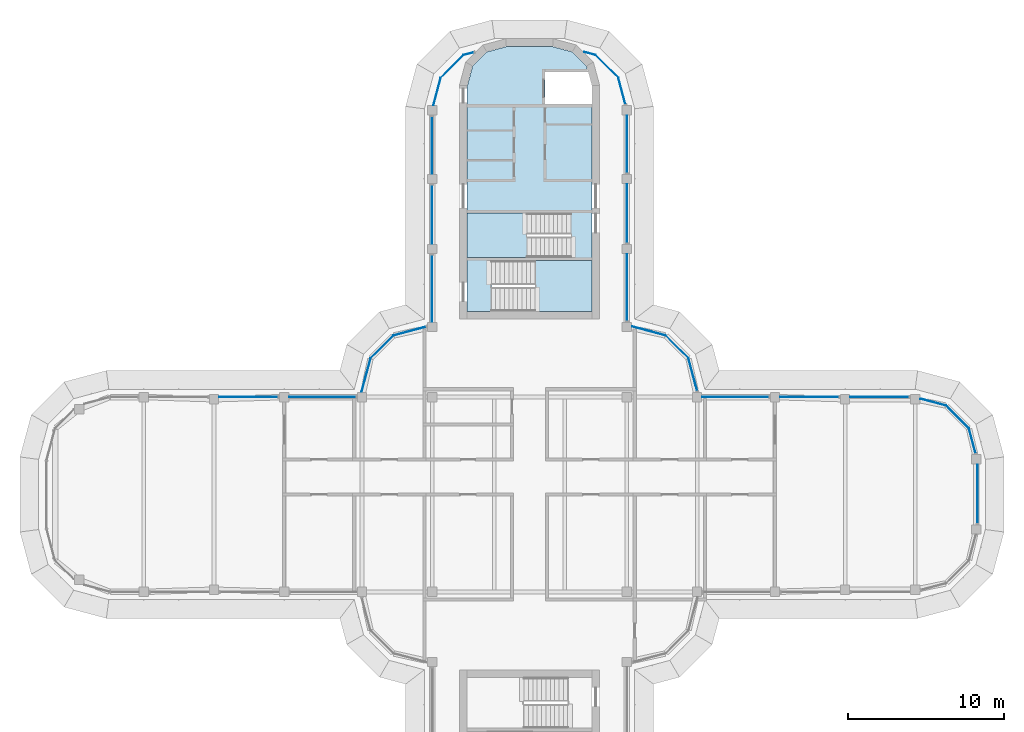
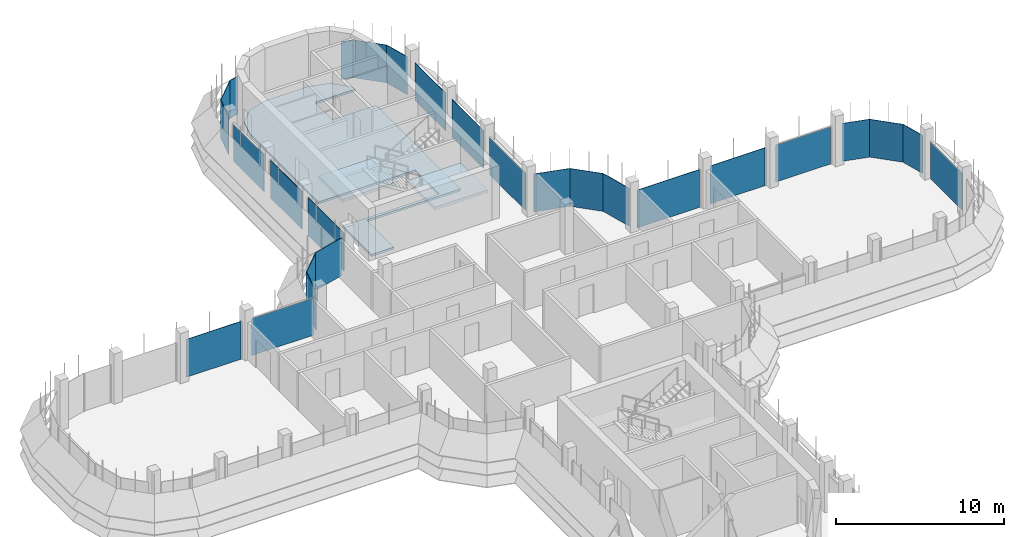
# One storey, part 12 of 19: 27 plates, 3 slabs, 22 elements without a shape of their own.
"""IFC4 building model written with IfcOpenShell, lengths in metres."""

from ifc_helpers import new_model, si_unit, direction, frame, origin, place, context, subcontext, project, spatial, polyline, outline, extrude, source, transform, mapped, material, layer, layer_set, type_object, element, aggregate, save


model = new_model("IFC4")

# Units and contexts
model_context = context("Model", 3, precision=1e-05, world=origin(), true_north=direction((0.0, 1.0)))
body_context = subcontext(model_context, "Body", "Model", "MODEL_VIEW")
ifc_project = project(units=[si_unit("LENGTHUNIT", "METRE"), si_unit("AREAUNIT", "SQUARE_METRE"), si_unit("VOLUMEUNIT", "CUBIC_METRE"), si_unit("PLANEANGLEUNIT", "RADIAN"), si_unit("MASSUNIT", "GRAM", prefix="KILO")], contexts=[model_context])

# Site, building, storey
site_placement = place(None, origin())
site = spatial("IfcSite", under=ifc_project, at=site_placement, CompositionType="ELEMENT")
building_placement = place(site_placement, origin())
building = spatial("IfcBuilding", under=site, at=building_placement, Name="Zarbagh Exchange Tower", CompositionType="ELEMENT")
storey_placement = place(building_placement, frame((0.0, 0.0, 261.199951171875)))
storey = spatial("IfcBuildingStorey", under=building, at=storey_placement, Name="L64", CompositionType="ELEMENT", Elevation=261.199951171875)

# Slab
ifc_material_1 = material(Name="Concrete C40/50", Category="concrete")
ifc_layer_1 = layer(ifc_material_1, 0.14990234375)
ifc_layer_set_1 = layer_set([ifc_layer_1], Name="Core floor slab 150 C40/50")
slab_type_1 = type_object("IfcSlabType", Name="Core floor slab 150 C40/50", PredefinedType="FLOOR", material=ifc_layer_set_1)
slab_1_placement = place(storey_placement, frame((0.0, 0.0, -0.14990234375)))
element("IfcSlab", 1, at=slab_1_placement, inside=storey, type_object=slab_type_1, Name="S17 core N", PredefinedType="FLOOR", context=body_context, shape_type="SweptSolid", body=[
    extrude(outline(polyline([(-4.0, 11.75), (-4.0, 15.199951171875), (2.64990234375, 15.199951171875), (2.64990234375, 18.050048828125), (-4.0, 18.050048828125), (-4.0, 26.18408203125), (-3.64990234375, 27.4912109375), (-2.7412109375, 28.39990234375), (-1.43408203125, 28.75), (1.43408203125, 28.75), (2.7412109375, 28.39990234375), (3.64990234375, 27.4912109375), (3.857666015625, 26.715087890625), (3.754638671875, 27.10009765625), (1.0, 27.10009765625), (1.0, 25.050048828125), (4.0, 25.050048828125), (4.0, 15.0), (-2.449951171875, 15.0), (-2.449951171875, 11.75), (-4.0, 11.75)])), origin(), (0.0, 0.0, 1.0), 0.14990234375),
])

# Stair, slab
stair_type = type_object("IfcStairType", Name="Exit stair two-flight half-turn", PredefinedType="HALF_TURN_STAIR", material=ifc_material_1)
stair_1_placement = place(storey_placement, origin())
stair_1 = element("IfcStair", 2, at=stair_1_placement, inside=storey, type_object=stair_type, Name="exit stair ST1", PredefinedType="HALF_TURN_STAIR")
ifc_layer_2 = layer(ifc_material_1, 0.199951171875)
ifc_layer_set_2 = layer_set([ifc_layer_2], Name="Stair landing 200 mm")
slab_type_2 = type_object("IfcSlabType", Name="Stair landing 200 mm", PredefinedType="LANDING", material=ifc_layer_set_2)
slab_2_placement = place(storey_placement, frame((0.0, 0.0, 1.699951171875)))
slab_2 = element("IfcSlab", 3, at=slab_2_placement, type_object=slab_type_2, Name="ST1 landing 1", PredefinedType="LANDING", context=body_context, shape_type="SweptSolid", body=[
    extrude(outline(polyline([(-0.14990234375, 18.050048828125), (-4.0, 18.050048828125), (-4.0, 15.199951171875), (-0.14990234375, 15.199951171875), (-0.14990234375, 18.050048828125)])), origin(), (0.0, 0.0, 1.0), 0.2001953125),
])
aggregate(stair_1, [slab_2])

stair_2_placement = place(storey_placement, origin())
stair_2 = element("IfcStair", 4, at=stair_2_placement, inside=storey, type_object=stair_type, Name="exit stair ST2", PredefinedType="HALF_TURN_STAIR")
slab_3_placement = place(storey_placement, frame((0.0, 0.0, 1.699951171875)))
slab_3 = element("IfcSlab", 5, at=slab_3_placement, type_object=slab_type_2, Name="ST2 landing 1", PredefinedType="LANDING", context=body_context, shape_type="SweptSolid", body=[
    extrude(outline(polyline([(0.35009765625, 11.75), (4.0, 11.75), (4.0, 15.0), (0.35009765625, 15.0), (0.35009765625, 11.75)])), origin(), (0.0, 0.0, 1.0), 0.2001953125),
])
aggregate(stair_2, [slab_3])

# Curtain wall, plate
ifc_material_2 = material(Name="Anodised aluminium frame and glazing", Category="aluminium")
curtain_wall_type = type_object("IfcCurtainWallType", Name="CWB Ribbon glazing, upper zones", PredefinedType="NOTDEFINED", material=ifc_material_2)
curtain_wall_1_placement = place(storey_placement, origin())
curtain_wall_1 = element("IfcCurtainWall", 6, at=curtain_wall_1_placement, inside=storey, type_object=curtain_wall_type, Name="CWB80 curtain wall", PredefinedType="NOTDEFINED")
ifc_material_3 = material(Name="Low-e double glazed unit, 6+12+6 mm")
ifc_layer_3 = layer(ifc_material_3, 0.031982421875)
ifc_layer_set_3 = layer_set([ifc_layer_3], Name="PAB Glazing panel, Low-e double glazed unit, 6+12+6 mm")
plate_type = type_object("IfcPlateType", Name="PAB Glazing panel, Low-e double glazed unit, 6+12+6 mm", PredefinedType="CURTAIN_PANEL", material=ifc_layer_set_3)
shared_shape_1 = source(origin(), body_context, "Body", "SweptSolid", [
    extrude(outline(polyline([(0.0, -0.01611328125), (2.061279296875, -0.01611328125), (2.061279296875, 0.01611328125), (0.0, 0.01611328125), (0.0, -0.01611328125)])), origin(), (0.0, 0.0, 1.0), 2.75),
])
placement = place(storey_placement, origin())
plate_1 = element("IfcPlate", 7, at=placement, type_object=plate_type, Name="CWB80 glazing panel 1.1", PredefinedType="CURTAIN_PANEL", context=body_context, shape_type="MappedRepresentation", body=[
    mapped(shared_shape_1, transform((28.19873046875, 4.2412109375, 0.0), x_axis=(-0.707106781187, 0.707106781187, 0.0), y_axis=(-0.707106781187, -0.707106781187, 0.0), z_axis=(0.0, 0.0, 1.0))),
])
aggregate(curtain_wall_1, [plate_1])

curtain_wall_2_placement = place(storey_placement, origin())
curtain_wall_2 = element("IfcCurtainWall", 8, at=curtain_wall_2_placement, inside=storey, type_object=curtain_wall_type, Name="CWB18 curtain wall", PredefinedType="NOTDEFINED")
plate_2 = element("IfcPlate", 9, at=placement, type_object=plate_type, Name="CWB18 glazing panel 1.1", PredefinedType="CURTAIN_PANEL", context=body_context, shape_type="MappedRepresentation", body=[
    mapped(shared_shape_1, transform((10.19873046875, 8.7412109375, 0.0), x_axis=(-0.707106781187, 0.707106781187, 0.0), y_axis=(-0.707106781187, -0.707106781187, 0.0), z_axis=(0.0, 0.0, 1.0))),
])
aggregate(curtain_wall_2, [plate_2])

curtain_wall_3_placement = place(storey_placement, origin())
curtain_wall_3 = element("IfcCurtainWall", 10, at=curtain_wall_3_placement, inside=storey, type_object=curtain_wall_type, Name="CWB74 curtain wall", PredefinedType="NOTDEFINED")
plate_3 = element("IfcPlate", 11, at=placement, type_object=plate_type, Name="CWB74 glazing panel 1.1", PredefinedType="CURTAIN_PANEL", context=body_context, shape_type="MappedRepresentation", body=[
    mapped(shared_shape_1, transform((5.69873046875, 26.7412109375, 0.0), x_axis=(-0.707106781187, 0.707106781187, 0.0), y_axis=(-0.707106781187, -0.707106781187, 0.0), z_axis=(0.0, 0.0, 1.0))),
])
aggregate(curtain_wall_3, [plate_3])

curtain_wall_4_placement = place(storey_placement, origin())
curtain_wall_4 = element("IfcCurtainWall", 12, at=curtain_wall_4_placement, inside=storey, type_object=curtain_wall_type, Name="CWB71 curtain wall", PredefinedType="NOTDEFINED")
plate_4 = element("IfcPlate", 13, at=placement, type_object=plate_type, Name="CWB71 glazing panel 1.1", PredefinedType="CURTAIN_PANEL", context=body_context, shape_type="MappedRepresentation", body=[
    mapped(shared_shape_1, transform((-4.2412109375, 28.19873046875, 0.0), x_axis=(-0.707106781187, -0.707106781187, 0.0), y_axis=(0.707106781187, -0.707106781187, 0.0), z_axis=(0.0, 0.0, 1.0))),
])
aggregate(curtain_wall_4, [plate_4])

curtain_wall_5_placement = place(storey_placement, origin())
curtain_wall_5 = element("IfcCurtainWall", 14, at=curtain_wall_5_placement, inside=storey, type_object=curtain_wall_type, Name="CWB30 curtain wall", PredefinedType="NOTDEFINED")
plate_5 = element("IfcPlate", 15, at=placement, type_object=plate_type, Name="CWB30 glazing panel 1.1", PredefinedType="CURTAIN_PANEL", context=body_context, shape_type="MappedRepresentation", body=[
    mapped(shared_shape_1, transform((-8.7412109375, 10.19873046875, 0.0), x_axis=(-0.707106781187, -0.707106781187, 0.0), y_axis=(0.707106781187, -0.707106781187, 0.0), z_axis=(0.0, 0.0, 1.0))),
])
aggregate(curtain_wall_5, [plate_5])

curtain_wall_6_placement = place(storey_placement, origin())
curtain_wall_6 = element("IfcCurtainWall", 16, at=curtain_wall_6_placement, inside=storey, type_object=curtain_wall_type, Name="CWB81 curtain wall", PredefinedType="NOTDEFINED")
shared_shape_2 = source(origin(), body_context, "Body", "SweptSolid", [
    extrude(outline(polyline([(0.0, -0.01611328125), (1.70947265625, -0.01611328125), (1.70947265625, 0.01611328125), (0.0, 0.01611328125), (0.0, -0.01611328125)])), origin(), (0.0, 0.0, 1.0), 2.75),
])
plate_6 = element("IfcPlate", 17, at=placement, type_object=plate_type, Name="CWB81 glazing panel 1.1", PredefinedType="CURTAIN_PANEL", context=body_context, shape_type="MappedRepresentation", body=[
    mapped(shared_shape_2, transform((26.7412109375, 5.69873046875, 0.0), x_axis=(-0.965924289636, 0.258824779902, 0.0), y_axis=(-0.258824779902, -0.965924289636, 0.0), z_axis=(0.0, 0.0, 1.0))),
])
aggregate(curtain_wall_6, [plate_6])

curtain_wall_7_placement = place(storey_placement, origin())
curtain_wall_7 = element("IfcCurtainWall", 18, at=curtain_wall_7_placement, inside=storey, type_object=curtain_wall_type, Name="CWB79 curtain wall", PredefinedType="NOTDEFINED")
shared_shape_3 = source(origin(), body_context, "Body", "SweptSolid", [
    extrude(outline(polyline([(0.0, -0.01611328125), (1.6494140625, -0.01611328125), (1.6494140625, 0.01611328125), (0.0, 0.01611328125), (0.0, -0.01611328125)])), origin(), (0.0, 0.0, 1.0), 2.75),
])
plate_7 = element("IfcPlate", 19, at=placement, type_object=plate_type, Name="CWB79 glazing panel 1.1", PredefinedType="CURTAIN_PANEL", context=body_context, shape_type="MappedRepresentation", body=[
    mapped(shared_shape_3, transform((28.625732421875, 2.64794921875, 0.0), x_axis=(-0.258824779902, 0.965924289636, 0.0), y_axis=(-0.965924289636, -0.258824779902, 0.0), z_axis=(0.0, 0.0, 1.0))),
])
aggregate(curtain_wall_7, [plate_7])

curtain_wall_8_placement = place(storey_placement, origin())
curtain_wall_8 = element("IfcCurtainWall", 20, at=curtain_wall_8_placement, inside=storey, type_object=curtain_wall_type, Name="CWB67 curtain wall", PredefinedType="NOTDEFINED")
shared_shape_4 = source(origin(), body_context, "Body", "SweptSolid", [
    extrude(outline(polyline([(0.0, -0.01611328125), (3.659912109375, -0.01611328125), (3.659912109375, 0.01611328125), (0.0, 0.01611328125), (0.0, -0.01611328125)])), origin(), (0.0, 0.0, 1.0), 2.75),
])
plate_8 = element("IfcPlate", 21, at=placement, type_object=plate_type, Name="CWB67 glazing panel 3.1", PredefinedType="CURTAIN_PANEL", context=body_context, shape_type="MappedRepresentation", body=[
    mapped(shared_shape_4, transform((6.25, 20.650146484375, 0.0), x_axis=(0.0, 1.0, 0.0), y_axis=(-1.0, 0.0, 0.0), z_axis=(0.0, 0.0, 1.0))),
])

curtain_wall_9_placement = place(storey_placement, origin())
curtain_wall_9 = element("IfcCurtainWall", 22, at=curtain_wall_9_placement, inside=storey, type_object=curtain_wall_type, Name="CWB69 curtain wall", PredefinedType="NOTDEFINED")
shared_shape_5 = source(origin(), body_context, "Body", "SweptSolid", [
    extrude(outline(polyline([(0.0, -0.01611328125), (0.757080078125, -0.01611328125), (0.757080078125, 0.01611328125), (0.0, 0.01611328125), (0.0, -0.01611328125)])), origin(), (0.0, 0.0, 1.0), 2.75),
])
plate_9 = element("IfcPlate", 23, at=placement, type_object=plate_type, Name="CWB69 glazing panel 1.1", PredefinedType="CURTAIN_PANEL", context=body_context, shape_type="MappedRepresentation", body=[
    mapped(shared_shape_5, transform((4.2412109375, 28.19873046875, 0.0), x_axis=(-0.965924289636, 0.258824779902, 0.0), y_axis=(-0.258824779902, -0.965924289636, 0.0), z_axis=(0.0, 0.0, 1.0))),
])
aggregate(curtain_wall_9, [plate_9])

curtain_wall_10_placement = place(storey_placement, origin())
curtain_wall_10 = element("IfcCurtainWall", 24, at=curtain_wall_10_placement, inside=storey, type_object=curtain_wall_type, Name="CWB70 curtain wall", PredefinedType="NOTDEFINED")
shared_shape_6 = source(origin(), body_context, "Body", "SweptSolid", [
    extrude(outline(polyline([(0.0, -0.01611328125), (0.697021484375, -0.01611328125), (0.697021484375, 0.01611328125), (0.0, 0.01611328125), (0.0, -0.01611328125)])), origin(), (0.0, 0.0, 1.0), 2.75),
])
plate_10 = element("IfcPlate", 25, at=placement, type_object=plate_type, Name="CWB70 glazing panel 1.1", PredefinedType="CURTAIN_PANEL", context=body_context, shape_type="MappedRepresentation", body=[
    mapped(shared_shape_6, transform((-3.56787109375, 28.379150390625, 0.0), x_axis=(-0.965924289636, -0.258824779902, 0.0), y_axis=(0.258824779902, -0.965924289636, 0.0), z_axis=(0.0, 0.0, 1.0))),
])
aggregate(curtain_wall_10, [plate_10])

curtain_wall_11_placement = place(storey_placement, origin())
curtain_wall_11 = element("IfcCurtainWall", 26, at=curtain_wall_11_placement, inside=storey, type_object=curtain_wall_type, Name="CWB72 curtain wall", PredefinedType="NOTDEFINED")
shared_shape_7 = source(origin(), body_context, "Body", "SweptSolid", [
    extrude(outline(polyline([(0.0, -0.01611328125), (1.81298828125, -0.01611328125), (1.81298828125, 0.01611328125), (0.0, 0.01611328125), (0.0, -0.01611328125)])), origin(), (0.0, 0.0, 1.0), 2.75),
])
plate_11 = element("IfcPlate", 27, at=placement, type_object=plate_type, Name="CWB72 glazing panel 1.1", PredefinedType="CURTAIN_PANEL", context=body_context, shape_type="MappedRepresentation", body=[
    mapped(shared_shape_7, transform((-5.69873046875, 26.7412109375, 0.0), x_axis=(-0.258824779902, -0.965924289636, 0.0), y_axis=(0.965924289636, -0.258824779902, 0.0), z_axis=(0.0, 0.0, 1.0))),
])
aggregate(curtain_wall_11, [plate_11])

curtain_wall_12_placement = place(storey_placement, origin())
curtain_wall_12 = element("IfcCurtainWall", 28, at=curtain_wall_12_placement, inside=storey, type_object=curtain_wall_type, Name="CWB82 curtain wall", PredefinedType="NOTDEFINED")
shared_shape_8 = source(origin(), body_context, "Body", "SweptSolid", [
    extrude(outline(polyline([(0.0, -0.01611328125), (3.760009765625, -0.01611328125), (3.760009765625, 0.01611328125), (0.0, 0.01611328125), (0.0, -0.01611328125)])), origin(), (0.0, 0.0, 1.0), 2.75),
])
plate_12 = element("IfcPlate", 29, at=placement, type_object=plate_type, Name="CWB82 glazing panel 2.1", PredefinedType="CURTAIN_PANEL", context=body_context, shape_type="MappedRepresentation", body=[
    mapped(shared_shape_8, transform((19.849853515625, 6.25, 0.0), x_axis=(-1.0, 0.0, 0.0), y_axis=(0.0, -1.0, 0.0), z_axis=(0.0, 0.0, 1.0))),
])

# Plate
plate_13 = element("IfcPlate", 30, at=placement, type_object=plate_type, Name="CWB67 glazing panel 2.1", PredefinedType="CURTAIN_PANEL", context=body_context, shape_type="MappedRepresentation", body=[
    mapped(shared_shape_8, transform((6.25, 16.150146484375, 0.0), x_axis=(0.0, 1.0, 0.0), y_axis=(-1.0, 0.0, 0.0), z_axis=(0.0, 0.0, 1.0))),
])

# Curtain wall, plate
curtain_wall_13_placement = place(storey_placement, origin())
curtain_wall_13 = element("IfcCurtainWall", 31, at=curtain_wall_13_placement, inside=storey, type_object=curtain_wall_type, Name="CWB73 curtain wall", PredefinedType="NOTDEFINED")
plate_14 = element("IfcPlate", 32, at=placement, type_object=plate_type, Name="CWB73 glazing panel 2.1", PredefinedType="CURTAIN_PANEL", context=body_context, shape_type="MappedRepresentation", body=[
    mapped(shared_shape_8, transform((-6.25, 19.849853515625, 0.0), x_axis=(0.0, -1.0, 0.0), y_axis=(1.0, 0.0, 0.0), z_axis=(0.0, 0.0, 1.0))),
])

curtain_wall_14_placement = place(storey_placement, origin())
curtain_wall_14 = element("IfcCurtainWall", 33, at=curtain_wall_14_placement, inside=storey, type_object=curtain_wall_type, Name="CWB58 curtain wall", PredefinedType="NOTDEFINED")
plate_15 = element("IfcPlate", 34, at=placement, type_object=plate_type, Name="CWB58 glazing panel 2.1", PredefinedType="CURTAIN_PANEL", context=body_context, shape_type="MappedRepresentation", body=[
    mapped(shared_shape_8, transform((-16.150146484375, 6.25, 0.0), x_axis=(-1.0, 0.0, 0.0), y_axis=(0.0, -1.0, 0.0), z_axis=(0.0, 0.0, 1.0))),
])

# Plate
shared_shape_9 = source(origin(), body_context, "Body", "SweptSolid", [
    extrude(outline(polyline([(0.0, -0.01611328125), (4.260009765625, -0.01611328125), (4.260009765625, 0.01611328125), (0.0, 0.01611328125), (0.0, -0.01611328125)])), origin(), (0.0, 0.0, 1.0), 2.75),
])
plate_16 = element("IfcPlate", 35, at=placement, type_object=plate_type, Name="CWB82 glazing panel 3.1", PredefinedType="CURTAIN_PANEL", context=body_context, shape_type="MappedRepresentation", body=[
    mapped(shared_shape_9, transform((15.349853515625, 6.25, 0.0), x_axis=(-1.0, 0.0, 0.0), y_axis=(0.0, -1.0, 0.0), z_axis=(0.0, 0.0, 1.0))),
])

plate_17 = element("IfcPlate", 36, at=placement, type_object=plate_type, Name="CWB73 glazing panel 3.1", PredefinedType="CURTAIN_PANEL", context=body_context, shape_type="MappedRepresentation", body=[
    mapped(shared_shape_9, transform((-6.25, 15.349853515625, 0.0), x_axis=(0.0, -1.0, 0.0), y_axis=(1.0, 0.0, 0.0), z_axis=(0.0, 0.0, 1.0))),
])

# Curtain wall, plate
curtain_wall_15_placement = place(storey_placement, origin())
curtain_wall_15 = element("IfcCurtainWall", 37, at=curtain_wall_15_placement, inside=storey, type_object=curtain_wall_type, Name="CWB17 curtain wall", PredefinedType="NOTDEFINED")
shared_shape_10 = source(origin(), body_context, "Body", "SweptSolid", [
    extrude(outline(polyline([(0.0, -0.01611328125), (2.1669921875, -0.01611328125), (2.1669921875, 0.01611328125), (0.0, 0.01611328125), (0.0, -0.01611328125)])), origin(), (0.0, 0.0, 1.0), 2.75),
])
plate_18 = element("IfcPlate", 38, at=placement, type_object=plate_type, Name="CWB17 glazing panel 1.1", PredefinedType="CURTAIN_PANEL", context=body_context, shape_type="MappedRepresentation", body=[
    mapped(shared_shape_10, transform((10.759765625, 6.64794921875, 0.0), x_axis=(-0.258824779902, 0.965924289636, 0.0), y_axis=(-0.965924289636, -0.258824779902, 0.0), z_axis=(0.0, 0.0, 1.0))),
])
aggregate(curtain_wall_15, [plate_18])

curtain_wall_16_placement = place(storey_placement, origin())
curtain_wall_16 = element("IfcCurtainWall", 39, at=curtain_wall_16_placement, inside=storey, type_object=curtain_wall_type, Name="CWB29 curtain wall", PredefinedType="NOTDEFINED")
plate_19 = element("IfcPlate", 40, at=placement, type_object=plate_type, Name="CWB29 glazing panel 1.1", PredefinedType="CURTAIN_PANEL", context=body_context, shape_type="MappedRepresentation", body=[
    mapped(shared_shape_10, transform((-6.64794921875, 10.759765625, 0.0), x_axis=(-0.965924289636, -0.258824779902, 0.0), y_axis=(0.258824779902, -0.965924289636, 0.0), z_axis=(0.0, 0.0, 1.0))),
])
aggregate(curtain_wall_16, [plate_19])

curtain_wall_17_placement = place(storey_placement, origin())
curtain_wall_17 = element("IfcCurtainWall", 41, at=curtain_wall_17_placement, inside=storey, type_object=curtain_wall_type, Name="CWB19 curtain wall", PredefinedType="NOTDEFINED")
shared_shape_11 = source(origin(), body_context, "Body", "SweptSolid", [
    extrude(outline(polyline([(0.0, -0.01611328125), (2.22705078125, -0.01611328125), (2.22705078125, 0.01611328125), (0.0, 0.01611328125), (0.0, -0.01611328125)])), origin(), (0.0, 0.0, 1.0), 2.75),
])
plate_20 = element("IfcPlate", 42, at=placement, type_object=plate_type, Name="CWB19 glazing panel 1.1", PredefinedType="CURTAIN_PANEL", context=body_context, shape_type="MappedRepresentation", body=[
    mapped(shared_shape_11, transform((8.7412109375, 10.19873046875, 0.0), x_axis=(-0.965924289636, 0.258824779902, 0.0), y_axis=(-0.258824779902, -0.965924289636, 0.0), z_axis=(0.0, 0.0, 1.0))),
])
aggregate(curtain_wall_17, [plate_20])

curtain_wall_18_placement = place(storey_placement, origin())
curtain_wall_18 = element("IfcCurtainWall", 43, at=curtain_wall_18_placement, inside=storey, type_object=curtain_wall_type, Name="CWB31 curtain wall", PredefinedType="NOTDEFINED")
plate_21 = element("IfcPlate", 44, at=placement, type_object=plate_type, Name="CWB31 glazing panel 1.1", PredefinedType="CURTAIN_PANEL", context=body_context, shape_type="MappedRepresentation", body=[
    mapped(shared_shape_11, transform((-10.19873046875, 8.7412109375, 0.0), x_axis=(-0.258824779902, -0.965924289636, 0.0), y_axis=(0.965924289636, -0.258824779902, 0.0), z_axis=(0.0, 0.0, 1.0))),
])
aggregate(curtain_wall_18, [plate_21])

# Plate
shared_shape_12 = source(origin(), body_context, "Body", "SweptSolid", [
    extrude(outline(polyline([(0.0, -0.01611328125), (4.260009765625, -0.01611328125), (4.260009765625, 0.01611328125), (0.0, 0.01611328125), (0.0, -0.01611328125)])), origin(), (0.0, 0.0, 1.0), 2.68994140625),
])
plate_22 = element("IfcPlate", 45, at=placement, type_object=plate_type, Name="CWB67 glazing panel 1.1", PredefinedType="CURTAIN_PANEL", context=body_context, shape_type="MappedRepresentation", body=[
    mapped(shared_shape_12, transform((6.25, 11.150146484375, 0.0), x_axis=(0.0, 1.0, 0.0), y_axis=(-1.0, 0.0, 0.0), z_axis=(0.0, 0.0, 1.0))),
])

aggregate(curtain_wall_8, [plate_22, plate_13, plate_8])

plate_23 = element("IfcPlate", 46, at=placement, type_object=plate_type, Name="CWB58 glazing panel 1.1", PredefinedType="CURTAIN_PANEL", context=body_context, shape_type="MappedRepresentation", body=[
    mapped(shared_shape_12, transform((-11.150146484375, 6.25, 0.0), x_axis=(-1.0, 0.0, 0.0), y_axis=(0.0, -1.0, 0.0), z_axis=(0.0, 0.0, 1.0))),
])

aggregate(curtain_wall_14, [plate_23, plate_15])

# Curtain wall, plate
curtain_wall_19_placement = place(storey_placement, origin())
curtain_wall_19 = element("IfcCurtainWall", 47, at=curtain_wall_19_placement, inside=storey, type_object=curtain_wall_type, Name="CWB83 curtain wall", PredefinedType="NOTDEFINED")
shared_shape_13 = source(origin(), body_context, "Body", "SweptSolid", [
    extrude(outline(polyline([(0.0, -0.01611328125), (3.760009765625, -0.01611328125), (3.760009765625, 0.01611328125), (0.0, 0.01611328125), (0.0, -0.01611328125)])), origin(), (0.0, 0.0, 1.0), 2.68994140625),
])
plate_24 = element("IfcPlate", 48, at=placement, type_object=plate_type, Name="CWB83 glazing panel 1.1", PredefinedType="CURTAIN_PANEL", context=body_context, shape_type="MappedRepresentation", body=[
    mapped(shared_shape_13, transform((28.75, -1.849853515625, 0.0), x_axis=(0.0, 1.0, 0.0), y_axis=(-1.0, 0.0, 0.0), z_axis=(0.0, 0.0, 1.0))),
])
aggregate(curtain_wall_19, [plate_24])

# Plate
plate_25 = element("IfcPlate", 49, at=placement, type_object=plate_type, Name="CWB82 glazing panel 1.1", PredefinedType="CURTAIN_PANEL", context=body_context, shape_type="MappedRepresentation", body=[
    mapped(shared_shape_13, transform((24.349853515625, 6.25, 0.0), x_axis=(-1.0, 0.0, 0.0), y_axis=(0.0, -1.0, 0.0), z_axis=(0.0, 0.0, 1.0))),
])

aggregate(curtain_wall_12, [plate_25, plate_12, plate_16])

# Curtain wall, plate
curtain_wall_20_placement = place(storey_placement, origin())
curtain_wall_20 = element("IfcCurtainWall", 50, at=curtain_wall_20_placement, inside=storey, type_object=curtain_wall_type, Name="CWB68 curtain wall", PredefinedType="NOTDEFINED")
shared_shape_14 = source(origin(), body_context, "Body", "SweptSolid", [
    extrude(outline(polyline([(0.0, -0.01611328125), (1.7529296875, -0.01611328125), (1.7529296875, 0.01611328125), (0.0, 0.01611328125), (0.0, -0.01611328125)])), origin(), (0.0, 0.0, 1.0), 2.75),
])
plate_26 = element("IfcPlate", 51, at=placement, type_object=plate_type, Name="CWB68 glazing panel 1.1", PredefinedType="CURTAIN_PANEL", context=body_context, shape_type="MappedRepresentation", body=[
    mapped(shared_shape_14, transform((6.152587890625, 25.0478515625, 0.0), x_axis=(-0.258824779902, 0.965924289636, 0.0), y_axis=(-0.965924289636, -0.258824779902, 0.0), z_axis=(0.0, 0.0, 1.0))),
])
aggregate(curtain_wall_20, [plate_26])

# Plate
shared_shape_15 = source(origin(), body_context, "Body", "SweptSolid", [
    extrude(outline(polyline([(0.0, -0.01611328125), (3.659912109375, -0.01611328125), (3.659912109375, 0.01611328125), (0.0, 0.01611328125), (0.0, -0.01611328125)])), origin(), (0.0, 0.0, 1.0), 2.68994140625),
])
plate_27 = element("IfcPlate", 52, at=placement, type_object=plate_type, Name="CWB73 glazing panel 1.1", PredefinedType="CURTAIN_PANEL", context=body_context, shape_type="MappedRepresentation", body=[
    mapped(shared_shape_15, transform((-6.25, 24.25, 0.0), x_axis=(0.0, -1.0, 0.0), y_axis=(1.0, 0.0, 0.0), z_axis=(0.0, 0.0, 1.0))),
])

aggregate(curtain_wall_13, [plate_27, plate_14, plate_17])

save(model, "model.ifc")
